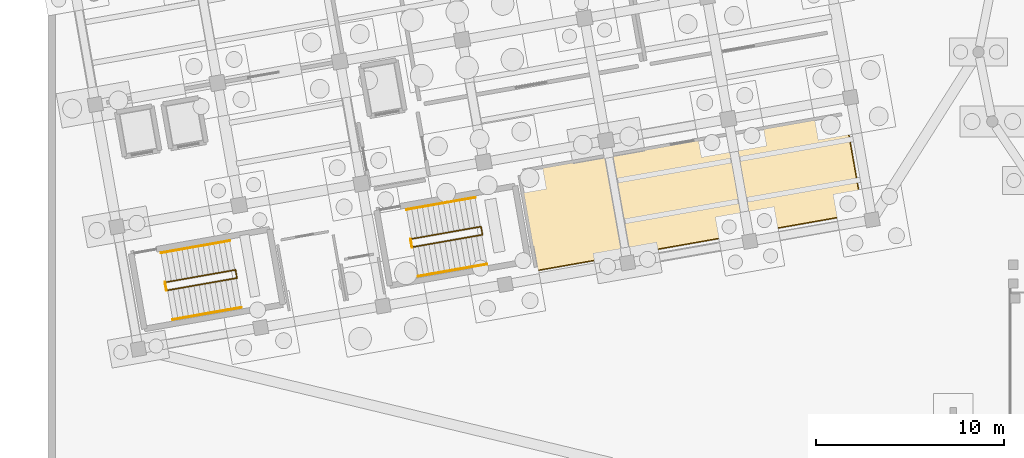
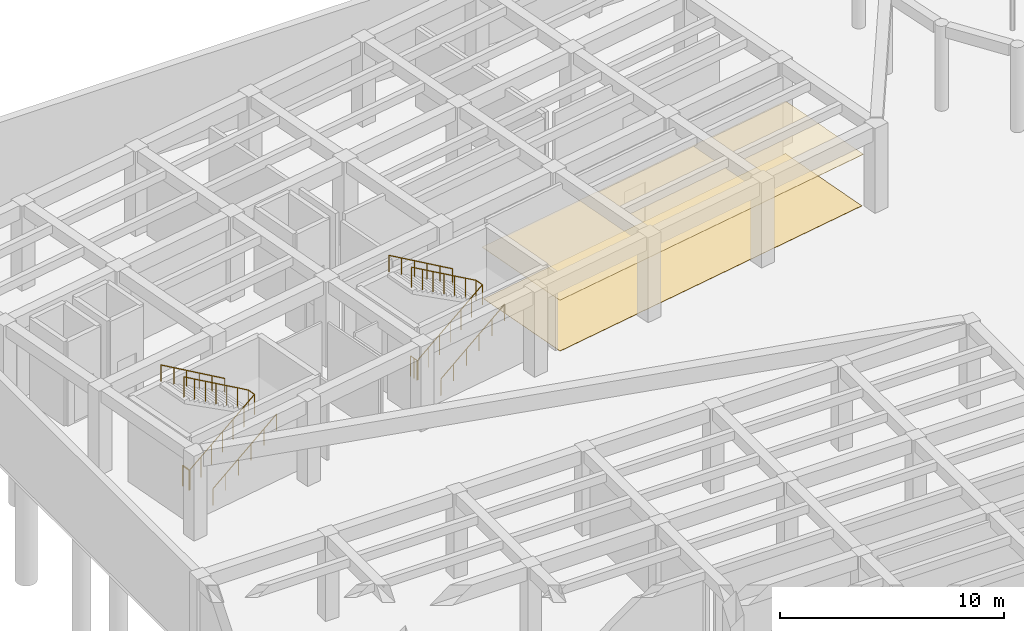
# One storey, part 31 of 34: 8 railings, 2 coverings.
"""IFC4 building model written with IfcOpenShell, lengths in metres."""

from ifc_helpers import new_model, si_unit, direction, frame, origin, origin_2d, place, context, subcontext, project, spatial, polyline, circle, outline, extrude, material, layer, layer_set, type_object, element, save


model = new_model("IFC4")

# Units and contexts
model_context = context("Model", 3, precision=1e-05, world=origin(), true_north=direction((0.0, 1.0)))
body_context = subcontext(model_context, "Body", "Model", "MODEL_VIEW")
ifc_project = project(units=[si_unit("LENGTHUNIT", "METRE"), si_unit("AREAUNIT", "SQUARE_METRE"), si_unit("VOLUMEUNIT", "CUBIC_METRE"), si_unit("PLANEANGLEUNIT", "RADIAN"), si_unit("MASSUNIT", "GRAM", prefix="KILO")], contexts=[model_context])

# Site, building, storey
site_placement = place(None, origin())
site = spatial("IfcSite", under=ifc_project, at=site_placement, CompositionType="ELEMENT")
building_placement = place(site_placement, origin())
building = spatial("IfcBuilding", under=site, at=building_placement, Name="Kharisveld Research Institute", CompositionType="ELEMENT")
storey_placement = place(building_placement, frame((0.0, 0.0, -4.800048828125)))
storey = spatial("IfcBuildingStorey", under=building, at=storey_placement, Name="B1", CompositionType="ELEMENT", Elevation=-4.800048828125)

# Coverings
ifc_material_1 = material(Name="Mineral-Fibre Acoustic Ceiling", Category="mineral")
ifc_layer_1 = layer(ifc_material_1, 0.02490234375)
ifc_layer_set_1 = layer_set([ifc_layer_1], Name="CV_CEIL_AC")
covering_type_1 = type_object("IfcCoveringType", Name="CV_CEIL_AC", PredefinedType="CEILING", material=ifc_layer_set_1)
covering_1_placement = place(storey_placement, frame((0.0, 0.0, 2.800048828125)))
element("IfcCovering", 1, at=covering_1_placement, inside=storey, type_object=covering_type_1, Name="COV:RM:V1:B1:EMB1:CEIL", PredefinedType="CEILING", context=body_context, shape_type="SweptSolid", body=[
    extrude(outline(polyline([(26.35302734375, 39.14599609375), (43.735107421875, 42.2109375), (42.79736328125, 47.52880859375), (25.41552734375, 44.464111328125), (26.35302734375, 39.14599609375)])), origin(), (0.0, 0.0, 1.0), 0.02490234375),
])
ifc_material_2 = material(Name="Seamless Chemical-Resistant Epoxy", Category="mineral")
ifc_layer_2 = layer(ifc_material_2, 0.014892578125)
ifc_layer_set_2 = layer_set([ifc_layer_2], Name="CV_FLR_EPX")
covering_type_2 = type_object("IfcCoveringType", Name="CV_FLR_EPX", PredefinedType="FLOORING", material=ifc_layer_set_2)
covering_2_placement = place(storey_placement, origin())
element("IfcCovering", 2, at=covering_2_placement, inside=storey, type_object=covering_type_2, Name="COV:RM:V1:B1:EMB1:FLR", PredefinedType="FLOORING", context=body_context, shape_type="SweptSolid", body=[
    extrude(outline(polyline([(26.393798828125, 39.203857421875), (43.677001953125, 42.25146484375), (42.7568359375, 47.470947265625), (25.473388671875, 44.42333984375), (26.393798828125, 39.203857421875)])), origin(), (0.0, 0.0, 1.0), 0.01513671875),
])

# Railings
ifc_material_3 = material(Name="Steel S355JR", Category="steel")
railing_type_1 = type_object("IfcRailingType", Name="RL_GRD_STR", PredefinedType="GUARDRAIL", material=ifc_material_3)
railing_1_placement = place(storey_placement, frame((6.75048828125, 38.13671875, 0.0)))
element("IfcRailing", 3, at=railing_1_placement, inside=storey, type_object=railing_type_1, Name="RLG:ST1:B1:GRD_SLOT", PredefinedType="GUARDRAIL", context=body_context, shape_type="SweptSolid", body=[
    extrude(circle(Radius=0.02392578125, at=origin_2d()), frame((0.0, 0.0, 1.09619140625), z_axis=(0.829145663782, 0.146213281811, 0.539573113169), x_axis=(-0.173662611611, 0.984805207809, 0.0)), (0.0, 0.0, 1.0), 4.4482421875),
    extrude(circle(Radius=0.02392578125, at=origin_2d()), frame((3.688232421875, 0.650390625, 3.49609375), z_axis=(-0.173658729201, 0.984805892434, 0.0), x_axis=(-0.984805892434, -0.173658729201, 0.0)), (0.0, 0.0, 1.0), 0.43994140625),
    extrude(circle(Radius=0.02392578125, at=origin_2d()), frame((3.61181640625, 1.083740234375, 3.49609375), z_axis=(-0.82915306635, -0.146224266434, 0.539558760904), x_axis=(0.173673761132, -0.984803241614, 0.0)), (0.0, 0.0, 1.0), 4.447998046875),
    extrude(circle(Radius=0.02099609375, at=origin_2d()), origin(), (0.0, 0.0, 1.0), 1.072021484375),
    extrude(circle(Radius=0.02099609375, at=origin_2d()), frame((0.61474609375, 0.1083984375, 0.39990234375)), (0.0, 0.0, 1.0), 1.072021484375),
    extrude(circle(Radius=0.02099609375, at=origin_2d()), frame((1.2294921875, 0.216796875, 0.800048828125)), (0.0, 0.0, 1.0), 1.072021484375),
    extrude(circle(Radius=0.02099609375, at=origin_2d()), frame((1.84423828125, 0.3251953125, 1.2001953125)), (0.0, 0.0, 1.0), 1.072021484375),
    extrude(circle(Radius=0.02099609375, at=origin_2d()), frame((2.458740234375, 0.43359375, 1.60009765625)), (0.0, 0.0, 1.0), 1.072021484375),
    extrude(circle(Radius=0.02099609375, at=origin_2d()), frame((3.073486328125, 0.5419921875, 2.0)), (0.0, 0.0, 1.0), 1.072021484375),
    extrude(circle(Radius=0.02099609375, at=origin_2d()), frame((3.688232421875, 0.650390625, 2.400146484375)), (0.0, 0.0, 1.0), 1.072021484375),
    extrude(circle(Radius=0.02099609375, at=origin_2d()), frame((3.61181640625, 1.083740234375, 2.400146484375)), (0.0, 0.0, 1.0), 1.072021484375),
    extrude(circle(Radius=0.02099609375, at=origin_2d()), frame((2.9970703125, 0.975341796875, 2.800048828125)), (0.0, 0.0, 1.0), 1.072021484375),
    extrude(circle(Radius=0.02099609375, at=origin_2d()), frame((2.382568359375, 0.866943359375, 3.2001953125)), (0.0, 0.0, 1.0), 1.072021484375),
    extrude(circle(Radius=0.02099609375, at=origin_2d()), frame((1.767822265625, 0.758544921875, 3.60009765625)), (0.0, 0.0, 1.0), 1.072021484375),
    extrude(circle(Radius=0.02099609375, at=origin_2d()), frame((1.153076171875, 0.650146484375, 4.0)), (0.0, 0.0, 1.0), 1.072021484375),
    extrude(circle(Radius=0.02099609375, at=origin_2d()), frame((0.53857421875, 0.541748046875, 4.400146484375)), (0.0, 0.0, 1.0), 1.072021484375),
    extrude(circle(Radius=0.02099609375, at=origin_2d()), frame((-0.076171875, 0.433349609375, 4.800048828125)), (0.0, 0.0, 1.0), 1.072021484375),
])
railing_2_placement = place(storey_placement, frame((6.69140625, 38.12646484375, 0.0)))
element("IfcRailing", 4, at=railing_2_placement, inside=storey, type_object=railing_type_1, Name="RLG:ST1:B1:GRD_FLRSLOT", PredefinedType="GUARDRAIL", context=body_context, shape_type="SweptSolid", body=[
    extrude(circle(Radius=0.02392578125, at=origin_2d()), frame((0.0, 0.0, 1.09619140625), z_axis=(-0.173753665698, 0.984789146801, 0.0), x_axis=(-0.984789146801, -0.173753665698, 0.0)), (0.0, 0.0, 1.0), 0.439697265625),
    extrude(circle(Radius=0.02099609375, at=origin_2d()), origin(), (0.0, 0.0, 1.0), 1.072021484375),
    extrude(circle(Radius=0.02099609375, at=origin_2d()), frame((-0.076416015625, 0.43310546875, 0.0)), (0.0, 0.0, 1.0), 1.072021484375),
])
railing_3_placement = place(storey_placement, frame((19.79931640625, 40.4375, 0.0)))
element("IfcRailing", 5, at=railing_3_placement, inside=storey, type_object=railing_type_1, Name="RLG:ST2:B1:GRD_SLOT", PredefinedType="GUARDRAIL", context=body_context, shape_type="SweptSolid", body=[
    extrude(circle(Radius=0.02392578125, at=origin_2d()), frame((0.0, 0.0, 1.09619140625), z_axis=(0.829128510131, 0.146219935853, 0.539597668681), x_axis=(-0.173673761132, 0.984803241614, 0.0)), (0.0, 0.0, 1.0), 4.447998046875),
    extrude(circle(Radius=0.02392578125, at=origin_2d()), frame((3.68798828125, 0.650390625, 3.49609375), z_axis=(-0.173658729201, 0.984805892434, 0.0), x_axis=(-0.984805892434, -0.173658729201, 0.0)), (0.0, 0.0, 1.0), 0.43994140625),
    extrude(circle(Radius=0.02392578125, at=origin_2d()), frame((3.611572265625, 1.083740234375, 3.49609375), z_axis=(-0.82915306635, -0.146224266434, 0.539558760904), x_axis=(0.173673761132, -0.984803241614, 0.0)), (0.0, 0.0, 1.0), 4.447998046875),
    extrude(circle(Radius=0.02099609375, at=origin_2d()), origin(), (0.0, 0.0, 1.0), 1.072021484375),
    extrude(circle(Radius=0.02099609375, at=origin_2d()), frame((0.61474609375, 0.1083984375, 0.39990234375)), (0.0, 0.0, 1.0), 1.072021484375),
    extrude(circle(Radius=0.02099609375, at=origin_2d()), frame((1.229248046875, 0.216796875, 0.800048828125)), (0.0, 0.0, 1.0), 1.072021484375),
    extrude(circle(Radius=0.02099609375, at=origin_2d()), frame((1.843994140625, 0.3251953125, 1.2001953125)), (0.0, 0.0, 1.0), 1.072021484375),
    extrude(circle(Radius=0.02099609375, at=origin_2d()), frame((2.458740234375, 0.43359375, 1.60009765625)), (0.0, 0.0, 1.0), 1.072021484375),
    extrude(circle(Radius=0.02099609375, at=origin_2d()), frame((3.0732421875, 0.5419921875, 2.0)), (0.0, 0.0, 1.0), 1.072021484375),
    extrude(circle(Radius=0.02099609375, at=origin_2d()), frame((3.68798828125, 0.650390625, 2.400146484375)), (0.0, 0.0, 1.0), 1.072021484375),
    extrude(circle(Radius=0.02099609375, at=origin_2d()), frame((3.611572265625, 1.083740234375, 2.400146484375)), (0.0, 0.0, 1.0), 1.072021484375),
    extrude(circle(Radius=0.02099609375, at=origin_2d()), frame((2.996826171875, 0.975341796875, 2.800048828125)), (0.0, 0.0, 1.0), 1.072021484375),
    extrude(circle(Radius=0.02099609375, at=origin_2d()), frame((2.38232421875, 0.866943359375, 3.2001953125)), (0.0, 0.0, 1.0), 1.072021484375),
    extrude(circle(Radius=0.02099609375, at=origin_2d()), frame((1.767578125, 0.758544921875, 3.60009765625)), (0.0, 0.0, 1.0), 1.072021484375),
    extrude(circle(Radius=0.02099609375, at=origin_2d()), frame((1.15283203125, 0.650146484375, 4.0)), (0.0, 0.0, 1.0), 1.072021484375),
    extrude(circle(Radius=0.02099609375, at=origin_2d()), frame((0.538330078125, 0.541748046875, 4.400146484375)), (0.0, 0.0, 1.0), 1.072021484375),
    extrude(circle(Radius=0.02099609375, at=origin_2d()), frame((-0.076416015625, 0.433349609375, 4.800048828125)), (0.0, 0.0, 1.0), 1.072021484375),
])
railing_4_placement = place(storey_placement, frame((19.740234375, 40.42724609375, 0.0)))
element("IfcRailing", 6, at=railing_4_placement, inside=storey, type_object=railing_type_1, Name="RLG:ST2:B1:GRD_FLRSLOT", PredefinedType="GUARDRAIL", context=body_context, shape_type="SweptSolid", body=[
    extrude(circle(Radius=0.02392578125, at=origin_2d()), frame((0.0, 0.0, 1.09619140625), z_axis=(-0.173658729201, 0.984805892434, 0.0), x_axis=(-0.984805892434, -0.173658729201, 0.0)), (0.0, 0.0, 1.0), 0.43994140625),
    extrude(circle(Radius=0.02099609375, at=origin_2d()), origin(), (0.0, 0.0, 1.0), 1.072021484375),
    extrude(circle(Radius=0.02099609375, at=origin_2d()), frame((-0.0380859375, 0.216796875, 0.0)), (0.0, 0.0, 1.0), 1.072021484375),
    extrude(circle(Radius=0.02099609375, at=origin_2d()), frame((-0.076416015625, 0.433349609375, 0.0)), (0.0, 0.0, 1.0), 1.072021484375),
])
ifc_material_4 = material(Name="Stainless Steel 316", Category="steel")
railing_type_2 = type_object("IfcRailingType", Name="RL_HND_STR", PredefinedType="HANDRAIL", material=ifc_material_4)
railing_5_placement = place(storey_placement, frame((7.02490234375, 36.580810546875, 0.0)))
element("IfcRailing", 7, at=railing_5_placement, inside=storey, type_object=railing_type_2, Name="RLG:ST1:B1:HR1", PredefinedType="HANDRAIL", context=body_context, shape_type="SweptSolid", body=[
    extrude(circle(Radius=0.02392578125, at=origin_2d()), frame((0.0, 0.0, 0.89599609375), z_axis=(0.826530139682, 0.145728131018, 0.543701425441), x_axis=(-0.173634966033, 0.984810082488, 0.0)), (0.0, 0.0, 1.0), 4.41455078125),
    extrude(circle(Radius=0.02099609375, at=origin_2d()), origin(), (0.0, 0.0, 1.0), 0.871826171875),
    extrude(circle(Radius=0.02099609375, at=origin_2d()), frame((0.729736328125, 0.128662109375, 0.47998046875)), (0.0, 0.0, 1.0), 0.871826171875),
    extrude(circle(Radius=0.02099609375, at=origin_2d()), frame((1.45947265625, 0.25732421875, 0.9599609375)), (0.0, 0.0, 1.0), 0.871826171875),
    extrude(circle(Radius=0.02099609375, at=origin_2d()), frame((2.189208984375, 0.385986328125, 1.440185546875)), (0.0, 0.0, 1.0), 0.871826171875),
    extrude(circle(Radius=0.02099609375, at=origin_2d()), frame((2.9189453125, 0.5146484375, 1.920166015625)), (0.0, 0.0, 1.0), 0.871826171875),
    extrude(circle(Radius=0.02099609375, at=origin_2d()), frame((3.648681640625, 0.643310546875, 2.400146484375)), (0.0, 0.0, 1.0), 0.871826171875),
])
railing_6_placement = place(storey_placement, frame((10.048583984375, 40.76953125, 2.400146484375)))
element("IfcRailing", 8, at=railing_6_placement, inside=storey, type_object=railing_type_2, Name="RLG:ST1:B1:HR2", PredefinedType="HANDRAIL", context=body_context, shape_type="SweptSolid", body=[
    extrude(circle(Radius=0.02392578125, at=origin_2d()), frame((0.0, 0.0, 0.89599609375), z_axis=(-0.826548329543, -0.14578664414, 0.543658084939), x_axis=(0.173698873865, -0.984798812559, 0.0)), (0.0, 0.0, 1.0), 4.414306640625),
    extrude(circle(Radius=0.02099609375, at=origin_2d()), origin(), (0.0, 0.0, 1.0), 0.871826171875),
    extrude(circle(Radius=0.02099609375, at=origin_2d()), frame((-0.729736328125, -0.128662109375, 0.47998046875)), (0.0, 0.0, 1.0), 0.871826171875),
    extrude(circle(Radius=0.02099609375, at=origin_2d()), frame((-1.45947265625, -0.25732421875, 0.9599609375)), (0.0, 0.0, 1.0), 0.871826171875),
    extrude(circle(Radius=0.02099609375, at=origin_2d()), frame((-2.189208984375, -0.38623046875, 1.43994140625)), (0.0, 0.0, 1.0), 0.871826171875),
    extrude(circle(Radius=0.02099609375, at=origin_2d()), frame((-2.9189453125, -0.514892578125, 1.919921875)), (0.0, 0.0, 1.0), 0.871826171875),
    extrude(circle(Radius=0.02099609375, at=origin_2d()), frame((-3.648681640625, -0.6435546875, 2.39990234375)), (0.0, 0.0, 1.0), 0.871826171875),
])
railing_7_placement = place(storey_placement, frame((20.07373046875, 38.881591796875, 0.0)))
element("IfcRailing", 9, at=railing_7_placement, inside=storey, type_object=railing_type_2, Name="RLG:ST2:B1:HR1", PredefinedType="HANDRAIL", context=body_context, shape_type="SweptSolid", body=[
    extrude(circle(Radius=0.02392578125, at=origin_2d()), frame((0.0, 0.0, 0.89599609375), z_axis=(0.826530139682, 0.145728131018, 0.543701425441), x_axis=(-0.173634966033, 0.984810082488, 0.0)), (0.0, 0.0, 1.0), 4.41455078125),
    extrude(circle(Radius=0.02099609375, at=origin_2d()), origin(), (0.0, 0.0, 1.0), 0.871826171875),
    extrude(circle(Radius=0.02099609375, at=origin_2d()), frame((0.729736328125, 0.128662109375, 0.47998046875)), (0.0, 0.0, 1.0), 0.871826171875),
    extrude(circle(Radius=0.02099609375, at=origin_2d()), frame((1.45947265625, 0.25732421875, 0.9599609375)), (0.0, 0.0, 1.0), 0.871826171875),
    extrude(circle(Radius=0.02099609375, at=origin_2d()), frame((2.189208984375, 0.385986328125, 1.440185546875)), (0.0, 0.0, 1.0), 0.871826171875),
    extrude(circle(Radius=0.02099609375, at=origin_2d()), frame((2.9189453125, 0.5146484375, 1.920166015625)), (0.0, 0.0, 1.0), 0.871826171875),
    extrude(circle(Radius=0.02099609375, at=origin_2d()), frame((3.648681640625, 0.643310546875, 2.400146484375)), (0.0, 0.0, 1.0), 0.871826171875),
])
railing_8_placement = place(storey_placement, frame((23.09716796875, 43.0703125, 2.400146484375)))
element("IfcRailing", 10, at=railing_8_placement, inside=storey, type_object=railing_type_2, Name="RLG:ST2:B1:HR2", PredefinedType="HANDRAIL", context=body_context, shape_type="SweptSolid", body=[
    extrude(circle(Radius=0.02392578125, at=origin_2d()), frame((0.0, 0.0, 0.89599609375), z_axis=(-0.826554992718, -0.145732512935, 0.543662467609), x_axis=(0.173634966033, -0.984810082488, 0.0)), (0.0, 0.0, 1.0), 4.414306640625),
    extrude(circle(Radius=0.02099609375, at=origin_2d()), origin(), (0.0, 0.0, 1.0), 0.871826171875),
    extrude(circle(Radius=0.02099609375, at=origin_2d()), frame((-0.729736328125, -0.128662109375, 0.47998046875)), (0.0, 0.0, 1.0), 0.871826171875),
    extrude(circle(Radius=0.02099609375, at=origin_2d()), frame((-1.45947265625, -0.25732421875, 0.9599609375)), (0.0, 0.0, 1.0), 0.871826171875),
    extrude(circle(Radius=0.02099609375, at=origin_2d()), frame((-2.189208984375, -0.385986328125, 1.43994140625)), (0.0, 0.0, 1.0), 0.871826171875),
    extrude(circle(Radius=0.02099609375, at=origin_2d()), frame((-2.9189453125, -0.5146484375, 1.919921875)), (0.0, 0.0, 1.0), 0.871826171875),
    extrude(circle(Radius=0.02099609375, at=origin_2d()), frame((-3.648681640625, -0.643310546875, 2.39990234375)), (0.0, 0.0, 1.0), 0.871826171875),
])

save(model, "model.ifc")
